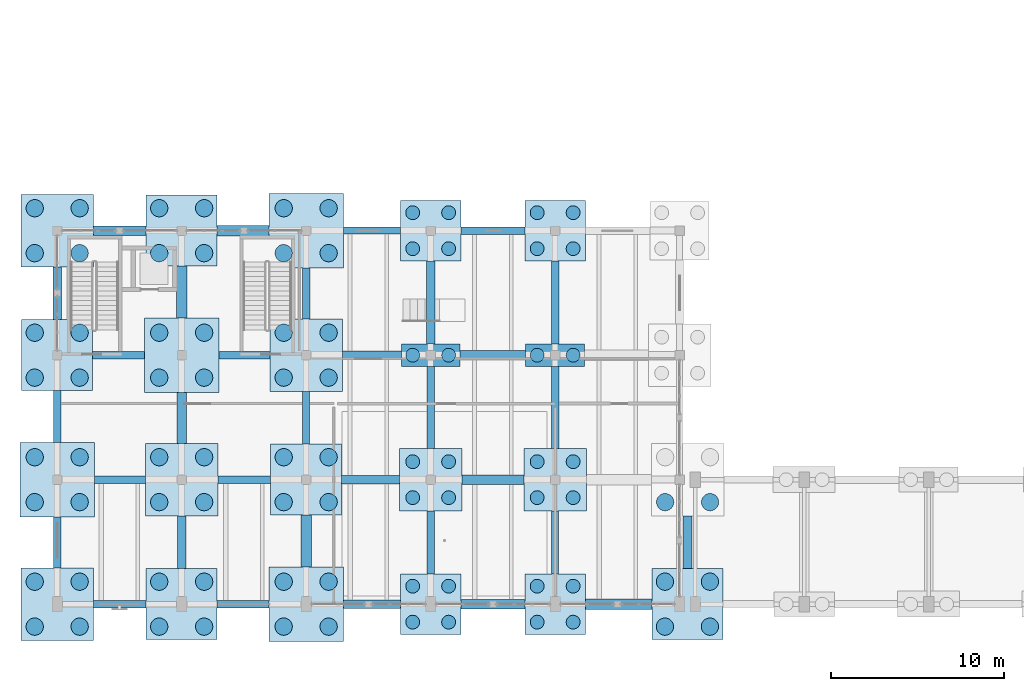
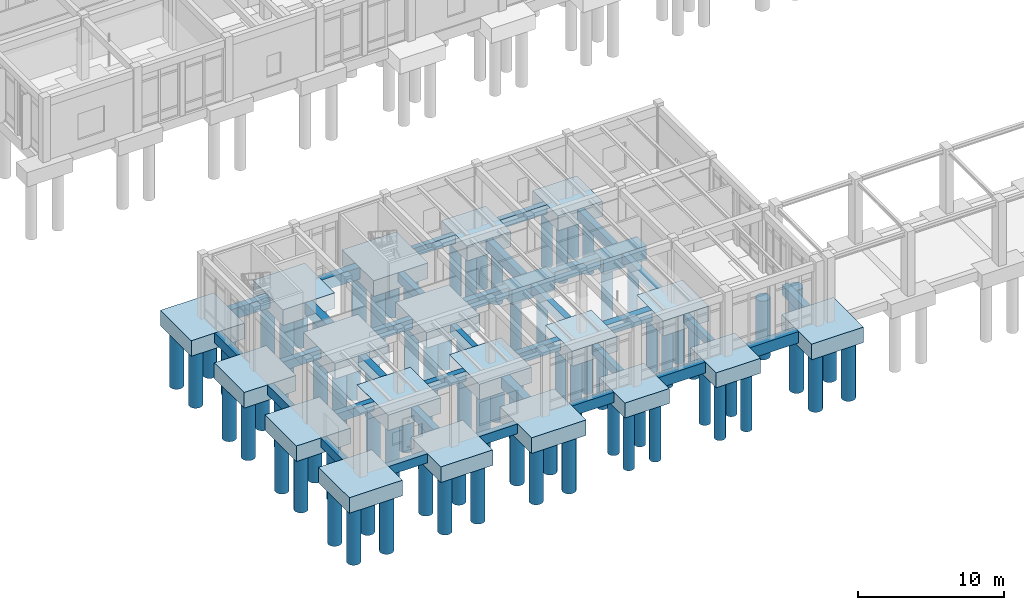
# One storey, part 1 of 93: 82 piles, 54 footings.
"""IFC4 building model written with IfcOpenShell, lengths in metres."""

from ifc_helpers import new_model, si_unit, direction, frame, origin, origin_2d, place, context, subcontext, project, spatial, rectangle, circle, extrude, material, material_profile, profile_set, type_object, element, save


model = new_model("IFC4")

# Units and contexts
model_context = context("Model", 3, precision=1e-05, world=origin(), true_north=direction((0.0, 1.0)))
body_context = subcontext(model_context, "Body", "Model", "MODEL_VIEW")
ifc_project = project(units=[si_unit("LENGTHUNIT", "METRE"), si_unit("AREAUNIT", "SQUARE_METRE"), si_unit("VOLUMEUNIT", "CUBIC_METRE"), si_unit("PLANEANGLEUNIT", "RADIAN"), si_unit("MASSUNIT", "GRAM", prefix="KILO")], contexts=[model_context])

# Site, building, storey
site_placement = place(None, origin())
site = spatial("IfcSite", under=ifc_project, at=site_placement, CompositionType="ELEMENT")
building_placement = place(site_placement, origin())
building = spatial("IfcBuilding", under=site, at=building_placement, Name="Koriwan Promenade Central Fire Station", CompositionType="ELEMENT")
storey_placement = place(building_placement, origin())
storey = spatial("IfcBuildingStorey", under=building, at=storey_placement, Name="L00", CompositionType="ELEMENT", Elevation=0.0)

# Piles
ifc_material = material(Name="Concrete C35/45", Category="concrete")
ifc_material_profile_1 = material_profile(ifc_material, circle(Radius=0.5, at=origin_2d()), Name="PILE-D1000")
ifc_profile_set_1 = profile_set([ifc_material_profile_1], Name="Concrete C35/45")
pile_type_1 = type_object("IfcPileType", Name="BoredPile_1000", PredefinedType="BORED", material=ifc_profile_set_1)
for number, where, z_axis, x_axis, name in (
    (1, (-1.300048828125, -1.300048828125, -1.14990234375), (0.0, 0.0, -1.0), (1.0, 0.0, 0.0), "Bored pile PCAP_001-11"),
    (2, (-1.300048828125, 1.300048828125, -1.14990234375), (0.0, 0.0, -1.0), (1.0, 0.0, 0.0), "Bored pile PCAP_001-12"),
    (3, (1.300048828125, -1.300048828125, -1.14990234375), (0.0, 0.0, -1.0), (1.0, 0.0, 0.0), "Bored pile PCAP_001-21"),
    (4, (1.300048828125, 1.300048828125, -1.14990234375), (0.0, 0.0, -1.0), (1.0, 0.0, 0.0), "Bored pile PCAP_001-22"),
    (5, (-1.300048828125, 5.89990234375, -1.14990234375), (0.0, 0.0, -1.0), (1.0, 0.0, 0.0), "Bored pile PCAP_002-11"),
    (6, (-1.300048828125, 8.5, -1.14990234375), (0.0, 0.0, -1.0), (1.0, 0.0, 0.0), "Bored pile PCAP_002-12"),
    (7, (1.300048828125, 5.89990234375, -1.14990234375), (0.0, 0.0, -1.0), (1.0, 0.0, 0.0), "Bored pile PCAP_002-21"),
    (8, (1.300048828125, 8.5, -1.14990234375), (0.0, 0.0, -1.0), (1.0, 0.0, 0.0), "Bored pile PCAP_002-22"),
    (9, (-1.300048828125, 13.10009765625, -1.14990234375), (0.0, 0.0, -1.0), (1.0, 0.0, 0.0), "Bored pile PCAP_003-11"),
    (10, (-1.300048828125, 15.699951171875, -1.14990234375), (0.0, 0.0, -1.0), (1.0, 0.0, 0.0), "Bored pile PCAP_003-12"),
    (11, (1.300048828125, 13.10009765625, -1.14990234375), (0.0, 0.0, -1.0), (1.0, 0.0, 0.0), "Bored pile PCAP_003-21"),
    (12, (1.300048828125, 15.699951171875, -1.14990234375), (0.0, 0.0, -1.0), (1.0, 0.0, 0.0), "Bored pile PCAP_003-22"),
    (13, (-1.300048828125, 20.300048828125, -1.14990234375), (0.0, 0.0, -1.0), (1.0, 0.0, 0.0), "Bored pile PCAP_004-11"),
    (14, (-1.300048828125, 22.89990234375, -1.14990234375), (0.0, 0.0, -1.0), (1.0, 0.0, 0.0), "Bored pile PCAP_004-12"),
    (15, (1.300048828125, 20.300048828125, -1.14990234375), (0.0, 0.0, -1.0), (1.0, 0.0, 0.0), "Bored pile PCAP_004-21"),
    (16, (1.300048828125, 22.89990234375, -1.14990234375), (0.0, 0.0, -1.0), (1.0, 0.0, 0.0), "Bored pile PCAP_004-22"),
    (17, (5.89990234375, -1.300048828125, -1.14990234375), (0.0, 0.0, -1.0), (1.0, 0.0, 0.0), "Bored pile PCAP_012-11"),
    (18, (5.89990234375, 1.300048828125, -1.14990234375), (0.0, 0.0, -1.0), (1.0, 0.0, 0.0), "Bored pile PCAP_012-12"),
    (19, (8.5, -1.300048828125, -1.14990234375), (0.0, 0.0, -1.0), (1.0, 0.0, 0.0), "Bored pile PCAP_012-21"),
    (20, (8.5, 1.300048828125, -1.14990234375), (0.0, 0.0, -1.0), (1.0, 0.0, 0.0), "Bored pile PCAP_012-22"),
    (21, (5.89990234375, 5.89990234375, -1.14990234375), (0.0, 0.0, -1.0), (1.0, 0.0, 0.0), "Bored pile PCAP_013-11"),
    (22, (5.89990234375, 8.5, -1.14990234375), (0.0, 0.0, -1.0), (1.0, 0.0, 0.0), "Bored pile PCAP_013-12"),
    (23, (8.5, 5.89990234375, -1.14990234375), (0.0, 0.0, -1.0), (1.0, 0.0, 0.0), "Bored pile PCAP_013-21"),
    (24, (8.5, 8.5, -1.14990234375), (0.0, 0.0, -1.0), (1.0, 0.0, 0.0), "Bored pile PCAP_013-22"),
    (25, (5.89990234375, 13.10009765625, -1.14990234375), (0.0, 0.0, -1.0), (1.0, 0.0, 0.0), "Bored pile PCAP_014-11"),
    (26, (5.89990234375, 15.699951171875, -1.14990234375), (0.0, 0.0, -1.0), (1.0, 0.0, 0.0), "Bored pile PCAP_014-12"),
    (27, (8.5, 13.10009765625, -1.14990234375), (0.0, 0.0, -1.0), (1.0, 0.0, 0.0), "Bored pile PCAP_014-21"),
    (28, (8.5, 15.699951171875, -1.14990234375), (0.0, 0.0, -1.0), (1.0, 0.0, 0.0), "Bored pile PCAP_014-22"),
    (29, (5.89990234375, 20.300048828125, -1.14990234375), (0.0, 0.0, -1.0), (1.0, 0.0, 0.0), "Bored pile PCAP_015-11"),
    (30, (5.89990234375, 22.89990234375, -1.14990234375), (0.0, 0.0, -1.0), (1.0, 0.0, 0.0), "Bored pile PCAP_015-12"),
    (31, (8.5, 20.300048828125, -1.14990234375), (0.0, 0.0, -1.0), (1.0, 0.0, 0.0), "Bored pile PCAP_015-21"),
    (32, (8.5, 22.89990234375, -1.14990234375), (0.0, 0.0, -1.0), (1.0, 0.0, 0.0), "Bored pile PCAP_015-22"),
    (33, (13.10009765625, -1.300048828125, -1.14990234375), (0.0, 0.0, -1.0), (1.0, 0.0, 0.0), "Bored pile PCAP_023-11"),
    (34, (13.10009765625, 1.300048828125, -1.14990234375), (0.0, 0.0, -1.0), (1.0, 0.0, 0.0), "Bored pile PCAP_023-12"),
    (35, (15.699951171875, -1.300048828125, -1.14990234375), (0.0, 0.0, -1.0), (1.0, 0.0, 0.0), "Bored pile PCAP_023-21"),
    (36, (15.699951171875, 1.300048828125, -1.14990234375), (0.0, 0.0, -1.0), (1.0, 0.0, 0.0), "Bored pile PCAP_023-22"),
    (37, (13.10009765625, 5.89990234375, -1.14990234375), (0.0, 0.0, -1.0), (1.0, 0.0, 0.0), "Bored pile PCAP_024-11"),
    (38, (13.10009765625, 8.5, -1.14990234375), (0.0, 0.0, -1.0), (1.0, 0.0, 0.0), "Bored pile PCAP_024-12"),
    (39, (15.699951171875, 5.89990234375, -1.14990234375), (0.0, 0.0, -1.0), (1.0, 0.0, 0.0), "Bored pile PCAP_024-21"),
    (40, (15.699951171875, 8.5, -1.14990234375), (0.0, 0.0, -1.0), (1.0, 0.0, 0.0), "Bored pile PCAP_024-22"),
    (41, (13.10009765625, 13.10009765625, -1.14990234375), (0.0, 0.0, -1.0), (1.0, 0.0, 0.0), "Bored pile PCAP_025-11"),
    (42, (13.10009765625, 15.699951171875, -1.14990234375), (0.0, 0.0, -1.0), (1.0, 0.0, 0.0), "Bored pile PCAP_025-12"),
    (43, (15.699951171875, 13.10009765625, -1.14990234375), (0.0, 0.0, -1.0), (1.0, 0.0, 0.0), "Bored pile PCAP_025-21"),
    (44, (15.699951171875, 15.699951171875, -1.14990234375), (0.0, 0.0, -1.0), (1.0, 0.0, 0.0), "Bored pile PCAP_025-22"),
    (45, (13.10009765625, 20.300048828125, -1.14990234375), (0.0, 0.0, -1.0), (1.0, 0.0, 0.0), "Bored pile PCAP_026-11"),
    (46, (13.10009765625, 22.89990234375, -1.14990234375), (0.0, 0.0, -1.0), (1.0, 0.0, 0.0), "Bored pile PCAP_026-12"),
    (47, (15.699951171875, 20.300048828125, -1.14990234375), (0.0, 0.0, -1.0), (1.0, 0.0, 0.0), "Bored pile PCAP_026-21"),
    (48, (15.699951171875, 22.89990234375, -1.14990234375), (0.0, 0.0, -1.0), (1.0, 0.0, 0.0), "Bored pile PCAP_026-22"),
    (49, (35.14990234375, -1.300048828125, -1.14990234375), (0.0, 0.0, -1.0), (1.0, 0.0, 0.0), "Bored pile PCAP_054-11"),
    (50, (35.14990234375, 1.300048828125, -1.14990234375), (0.0, 0.0, -1.0), (1.0, 0.0, 0.0), "Bored pile PCAP_054-12"),
    (51, (37.75, -1.300048828125, -1.14990234375), (0.0, 0.0, -1.0), (1.0, 0.0, 0.0), "Bored pile PCAP_054-21"),
    (52, (37.75, 1.300048828125, -1.14990234375), (0.0, 0.0, -1.0), (1.0, 0.0, 0.0), "Bored pile PCAP_054-22"),
    (53, (35.16259765625, 5.89990234375, -1.14990234375), (0.0, 0.0, -1.0), (1.0, 0.0, 0.0), "Bored pile PCAP_055-11"),
    (54, (37.762451171875, 5.89990234375, -1.14990234375), (0.0, 0.0, -1.0), (1.0, 0.0, 0.0), "Bored pile PCAP_055-21"),
):
    element("IfcPile", number, at=place(storey_placement, frame(where, z_axis=z_axis, x_axis=x_axis)), inside=storey, type_object=pile_type_1, Name=name, PredefinedType="BORED", context=body_context, shape_type="SweptSolid", body=[
        extrude(circle(Radius=0.5, at=origin_2d()), origin(), (0.0, 0.0, 1.0), 4.89990234375),
    ])
ifc_material_profile_2 = material_profile(ifc_material, circle(Radius=0.39990234375, at=origin_2d()), Name="PILE-D800")
ifc_profile_set_2 = profile_set([ifc_material_profile_2], Name="Concrete C35/45")
pile_type_2 = type_object("IfcPileType", Name="BoredPile_800", PredefinedType="BORED", material=ifc_profile_set_2)
for number, where, z_axis, x_axis, name in (
    (55, (20.56005859375, -1.0400390625, -1.10009765625), (0.0, 0.0, -1.0), (1.0, 0.0, 0.0), "Bored pile PCAP_034-11"),
    (56, (20.56005859375, 1.0400390625, -1.10009765625), (0.0, 0.0, -1.0), (1.0, 0.0, 0.0), "Bored pile PCAP_034-12"),
    (57, (22.639892578125, -1.0400390625, -1.10009765625), (0.0, 0.0, -1.0), (1.0, 0.0, 0.0), "Bored pile PCAP_034-21"),
    (58, (22.639892578125, 1.0400390625, -1.10009765625), (0.0, 0.0, -1.0), (1.0, 0.0, 0.0), "Bored pile PCAP_034-22"),
    (59, (20.56005859375, 6.159912109375, -1.10009765625), (0.0, 0.0, -1.0), (1.0, 0.0, 0.0), "Bored pile PCAP_035-11"),
    (60, (20.56005859375, 8.239990234375, -1.10009765625), (0.0, 0.0, -1.0), (1.0, 0.0, 0.0), "Bored pile PCAP_035-12"),
    (61, (22.639892578125, 6.159912109375, -1.10009765625), (0.0, 0.0, -1.0), (1.0, 0.0, 0.0), "Bored pile PCAP_035-21"),
    (62, (22.639892578125, 8.239990234375, -1.10009765625), (0.0, 0.0, -1.0), (1.0, 0.0, 0.0), "Bored pile PCAP_035-22"),
):
    element("IfcPile", number, at=place(storey_placement, frame(where, z_axis=z_axis, x_axis=x_axis)), inside=storey, type_object=pile_type_2, Name=name, PredefinedType="BORED", context=body_context, shape_type="SweptSolid", body=[
        extrude(circle(Radius=0.39990234375, at=origin_2d()), origin(), (0.0, 0.0, 1.0), 4.949951171875),
    ])
for number, where, z_axis, x_axis, name in (
    (63, (20.56005859375, 14.39990234375, -1.050048828125), (0.0, 0.0, -1.0), (1.0, 0.0, 0.0), "Bored pile PCAP_036-11"),
    (64, (22.639892578125, 14.39990234375, -1.050048828125), (0.0, 0.0, -1.0), (1.0, 0.0, 0.0), "Bored pile PCAP_036-21"),
):
    element("IfcPile", number, at=place(storey_placement, frame(where, z_axis=z_axis, x_axis=x_axis)), inside=storey, type_object=pile_type_2, Name=name, PredefinedType="BORED", context=body_context, shape_type="SweptSolid", body=[
        extrude(circle(Radius=0.39990234375, at=origin_2d()), origin(), (0.0, 0.0, 1.0), 5.0),
    ])
for number, where, z_axis, x_axis, name in (
    (65, (20.56005859375, 20.56005859375, -1.10009765625), (0.0, 0.0, -1.0), (1.0, 0.0, 0.0), "Bored pile PCAP_037-11"),
    (66, (20.56005859375, 22.639892578125, -1.10009765625), (0.0, 0.0, -1.0), (1.0, 0.0, 0.0), "Bored pile PCAP_037-12"),
    (67, (22.639892578125, 20.56005859375, -1.10009765625), (0.0, 0.0, -1.0), (1.0, 0.0, 0.0), "Bored pile PCAP_037-21"),
    (68, (22.639892578125, 22.639892578125, -1.10009765625), (0.0, 0.0, -1.0), (1.0, 0.0, 0.0), "Bored pile PCAP_037-22"),
    (69, (27.760009765625, -1.0400390625, -1.10009765625), (0.0, 0.0, -1.0), (1.0, 0.0, 0.0), "Bored pile PCAP_043-11"),
    (70, (27.760009765625, 1.0400390625, -1.10009765625), (0.0, 0.0, -1.0), (1.0, 0.0, 0.0), "Bored pile PCAP_043-12"),
    (71, (29.840087890625, -1.0400390625, -1.10009765625), (0.0, 0.0, -1.0), (1.0, 0.0, 0.0), "Bored pile PCAP_043-21"),
    (72, (29.840087890625, 1.0400390625, -1.10009765625), (0.0, 0.0, -1.0), (1.0, 0.0, 0.0), "Bored pile PCAP_043-22"),
    (73, (27.760009765625, 6.159912109375, -1.10009765625), (0.0, 0.0, -1.0), (1.0, 0.0, 0.0), "Bored pile PCAP_044-11"),
    (74, (27.760009765625, 8.239990234375, -1.10009765625), (0.0, 0.0, -1.0), (1.0, 0.0, 0.0), "Bored pile PCAP_044-12"),
    (75, (29.840087890625, 6.159912109375, -1.10009765625), (0.0, 0.0, -1.0), (1.0, 0.0, 0.0), "Bored pile PCAP_044-21"),
    (76, (29.840087890625, 8.239990234375, -1.10009765625), (0.0, 0.0, -1.0), (1.0, 0.0, 0.0), "Bored pile PCAP_044-22"),
):
    element("IfcPile", number, at=place(storey_placement, frame(where, z_axis=z_axis, x_axis=x_axis)), inside=storey, type_object=pile_type_2, Name=name, PredefinedType="BORED", context=body_context, shape_type="SweptSolid", body=[
        extrude(circle(Radius=0.39990234375, at=origin_2d()), origin(), (0.0, 0.0, 1.0), 4.949951171875),
    ])
for number, where, z_axis, x_axis, name in (
    (77, (27.760009765625, 14.39990234375, -1.050048828125), (0.0, 0.0, -1.0), (1.0, 0.0, 0.0), "Bored pile PCAP_045-11"),
    (78, (29.840087890625, 14.39990234375, -1.050048828125), (0.0, 0.0, -1.0), (1.0, 0.0, 0.0), "Bored pile PCAP_045-21"),
):
    element("IfcPile", number, at=place(storey_placement, frame(where, z_axis=z_axis, x_axis=x_axis)), inside=storey, type_object=pile_type_2, Name=name, PredefinedType="BORED", context=body_context, shape_type="SweptSolid", body=[
        extrude(circle(Radius=0.39990234375, at=origin_2d()), origin(), (0.0, 0.0, 1.0), 5.0),
    ])
for number, where, z_axis, x_axis, name in (
    (79, (27.760009765625, 20.56005859375, -1.10009765625), (0.0, 0.0, -1.0), (1.0, 0.0, 0.0), "Bored pile PCAP_046-11"),
    (80, (27.760009765625, 22.639892578125, -1.10009765625), (0.0, 0.0, -1.0), (1.0, 0.0, 0.0), "Bored pile PCAP_046-12"),
    (81, (29.840087890625, 20.56005859375, -1.10009765625), (0.0, 0.0, -1.0), (1.0, 0.0, 0.0), "Bored pile PCAP_046-21"),
    (82, (29.840087890625, 22.639892578125, -1.10009765625), (0.0, 0.0, -1.0), (1.0, 0.0, 0.0), "Bored pile PCAP_046-22"),
):
    element("IfcPile", number, at=place(storey_placement, frame(where, z_axis=z_axis, x_axis=x_axis)), inside=storey, type_object=pile_type_2, Name=name, PredefinedType="BORED", context=body_context, shape_type="SweptSolid", body=[
        extrude(circle(Radius=0.39990234375, at=origin_2d()), origin(), (0.0, 0.0, 1.0), 4.949951171875),
    ])

# Footings
footing_type_1 = type_object("IfcFootingType", Name="GroundTieBeam_400x700", PredefinedType="FOOTING_BEAM", material=ifc_material)
footing_1_placement = place(storey_placement, frame((18.199951171875, 21.60009765625, -0.7001953125), z_axis=(0.0, 0.0, 1.0), x_axis=(1.0, 0.0, 0.0)))
element("IfcFooting", 83, at=footing_1_placement, inside=storey, type_object=footing_type_1, Name="Seismic tie beam X-060", PredefinedType="FOOTING_BEAM", context=body_context, shape_type="SweptSolid", body=[
    extrude(rectangle(XDim=3.300048828125, YDim=0.39990234375, at=origin_2d()), origin(), (0.0, 0.0, 1.0), 0.699951171875),
])
footing_2_placement = place(storey_placement, frame((14.39990234375, 10.77490234375, -0.7001953125), z_axis=(0.0, 0.0, 1.0), x_axis=(0.0, 1.0, 0.0)))
element("IfcFooting", 84, at=footing_2_placement, inside=storey, type_object=footing_type_1, Name="Seismic tie beam Y-198", PredefinedType="FOOTING_BEAM", context=body_context, shape_type="SweptSolid", body=[
    extrude(rectangle(XDim=3.050048828125, YDim=0.39990234375, at=origin_2d()), origin(), (0.0, 0.0, 1.0), 0.699951171875),
])
footing_3_placement = place(storey_placement, frame((28.800048828125, 3.574951171875, -0.7001953125), z_axis=(0.0, 0.0, 1.0), x_axis=(0.0, 1.0, 0.0)))
element("IfcFooting", 85, at=footing_3_placement, inside=storey, type_object=footing_type_1, Name="Seismic tie beam Y-210", PredefinedType="FOOTING_BEAM", context=body_context, shape_type="SweptSolid", body=[
    extrude(rectangle(XDim=3.64990234375, YDim=0.39990234375, at=origin_2d()), origin(), (0.0, 0.0, 1.0), 0.699951171875),
])
footing_type_2 = type_object("IfcFootingType", Name="GroundTieBeam_450x750", PredefinedType="FOOTING_BEAM", material=ifc_material)
footing_4_placement = place(storey_placement, frame((3.625, 0.0, -0.75), z_axis=(0.0, 0.0, 1.0), x_axis=(1.0, 0.0, 0.0)))
element("IfcFooting", 86, at=footing_4_placement, inside=storey, type_object=footing_type_2, Name="Seismic tie beam X-001", PredefinedType="FOOTING_BEAM", context=body_context, shape_type="SweptSolid", body=[
    extrude(rectangle(XDim=3.050048828125, YDim=0.449951171875, at=origin_2d()), origin(), (0.0, 0.0, 1.0), 0.75),
])
footing_5_placement = place(storey_placement, frame((3.625, 7.199951171875, -0.75), z_axis=(0.0, 0.0, 1.0), x_axis=(1.0, 0.0, 0.0)))
element("IfcFooting", 87, at=footing_5_placement, inside=storey, type_object=footing_type_2, Name="Seismic tie beam X-025", PredefinedType="FOOTING_BEAM", context=body_context, shape_type="SweptSolid", body=[
    extrude(rectangle(XDim=2.949951171875, YDim=0.449951171875, at=origin_2d()), origin(), (0.0, 0.0, 1.0), 0.75),
])
footing_6_placement = place(storey_placement, frame((3.550048828125, 14.39990234375, -0.75), z_axis=(0.0, 0.0, 1.0), x_axis=(1.0, 0.0, 0.0)))
element("IfcFooting", 88, at=footing_6_placement, inside=storey, type_object=footing_type_2, Name="Seismic tie beam X-049", PredefinedType="FOOTING_BEAM", context=body_context, shape_type="SweptSolid", body=[
    extrude(rectangle(XDim=3.0, YDim=0.449951171875, at=origin_2d()), origin(), (0.0, 0.0, 1.0), 0.75),
])
footing_7_placement = place(storey_placement, frame((25.199951171875, 21.60009765625, -0.75), z_axis=(0.0, 0.0, 1.0), x_axis=(1.0, 0.0, 0.0)))
element("IfcFooting", 89, at=footing_7_placement, inside=storey, type_object=footing_type_2, Name="Seismic tie beam X-061", PredefinedType="FOOTING_BEAM", context=body_context, shape_type="SweptSolid", body=[
    extrude(rectangle(XDim=3.699951171875, YDim=0.449951171875, at=origin_2d()), origin(), (0.0, 0.0, 1.0), 0.75),
])
for number, where, z_axis, x_axis, name in (
    (90, (0.0, 3.574951171875, -0.75), (0.0, 0.0, 1.0), (0.0, 1.0, 0.0), "Seismic tie beam Y-181"),
    (91, (14.39990234375, 17.97509765625, -0.75), (0.0, 0.0, 1.0), (0.0, 1.0, 0.0), "Seismic tie beam Y-199"),
):
    element("IfcFooting", number, at=place(storey_placement, frame(where, z_axis=z_axis, x_axis=x_axis)), inside=storey, type_object=footing_type_2, Name=name, PredefinedType="FOOTING_BEAM", context=body_context, shape_type="SweptSolid", body=[
        extrude(rectangle(XDim=2.949951171875, YDim=0.449951171875, at=origin_2d()), origin(), (0.0, 0.0, 1.0), 0.75),
    ])
footing_8_placement = place(storey_placement, frame((21.60009765625, 3.574951171875, -0.75), z_axis=(0.0, 0.0, 1.0), x_axis=(0.0, 1.0, 0.0)))
element("IfcFooting", 92, at=footing_8_placement, inside=storey, type_object=footing_type_2, Name="Seismic tie beam Y-205", PredefinedType="FOOTING_BEAM", context=body_context, shape_type="SweptSolid", body=[
    extrude(rectangle(XDim=3.64990234375, YDim=0.449951171875, at=origin_2d()), origin(), (0.0, 0.0, 1.0), 0.75),
])
footing_9_placement = place(storey_placement, frame((28.800048828125, 11.375, -0.75), z_axis=(0.0, 0.0, 1.0), x_axis=(0.0, 1.0, 0.0)))
element("IfcFooting", 93, at=footing_9_placement, inside=storey, type_object=footing_type_2, Name="Seismic tie beam Y-211", PredefinedType="FOOTING_BEAM", context=body_context, shape_type="SweptSolid", body=[
    extrude(rectangle(XDim=4.75, YDim=0.449951171875, at=origin_2d()), origin(), (0.0, 0.0, 1.0), 0.75),
])
footing_type_3 = type_object("IfcFootingType", Name="GroundTieBeam_450x800", PredefinedType="FOOTING_BEAM", material=ifc_material)
footing_10_placement = place(storey_placement, frame((10.75, 0.0, -0.7998046875), z_axis=(0.0, 0.0, 1.0), x_axis=(1.0, 0.0, 0.0)))
element("IfcFooting", 94, at=footing_10_placement, inside=storey, type_object=footing_type_3, Name="Seismic tie beam X-002", PredefinedType="FOOTING_BEAM", context=body_context, shape_type="SweptSolid", body=[
    extrude(rectangle(XDim=3.0, YDim=0.449951171875, at=origin_2d()), origin(), (0.0, 0.0, 1.0), 0.800048828125),
])
footing_11_placement = place(storey_placement, frame((10.824951171875, 7.199951171875, -0.7998046875), z_axis=(0.0, 0.0, 1.0), x_axis=(1.0, 0.0, 0.0)))
element("IfcFooting", 95, at=footing_11_placement, inside=storey, type_object=footing_type_3, Name="Seismic tie beam X-026", PredefinedType="FOOTING_BEAM", context=body_context, shape_type="SweptSolid", body=[
    extrude(rectangle(XDim=3.050048828125, YDim=0.449951171875, at=origin_2d()), origin(), (0.0, 0.0, 1.0), 0.800048828125),
])
footing_12_placement = place(storey_placement, frame((10.824951171875, 14.39990234375, -0.7998046875), z_axis=(0.0, 0.0, 1.0), x_axis=(1.0, 0.0, 0.0)))
element("IfcFooting", 96, at=footing_12_placement, inside=storey, type_object=footing_type_3, Name="Seismic tie beam X-050", PredefinedType="FOOTING_BEAM", context=body_context, shape_type="SweptSolid", body=[
    extrude(rectangle(XDim=2.949951171875, YDim=0.449951171875, at=origin_2d()), origin(), (0.0, 0.0, 1.0), 0.800048828125),
])
footing_13_placement = place(storey_placement, frame((0.0, 10.85009765625, -0.7998046875), z_axis=(0.0, 0.0, 1.0), x_axis=(0.0, 1.0, 0.0)))
element("IfcFooting", 97, at=footing_13_placement, inside=storey, type_object=footing_type_3, Name="Seismic tie beam Y-182", PredefinedType="FOOTING_BEAM", context=body_context, shape_type="SweptSolid", body=[
    extrude(rectangle(XDim=3.0, YDim=0.449951171875, at=origin_2d()), origin(), (0.0, 0.0, 1.0), 0.800048828125),
])
footing_14_placement = place(storey_placement, frame((21.60009765625, 11.375, -0.7998046875), z_axis=(0.0, 0.0, 1.0), x_axis=(0.0, 1.0, 0.0)))
element("IfcFooting", 98, at=footing_14_placement, inside=storey, type_object=footing_type_3, Name="Seismic tie beam Y-206", PredefinedType="FOOTING_BEAM", context=body_context, shape_type="SweptSolid", body=[
    extrude(rectangle(XDim=4.75, YDim=0.449951171875, at=origin_2d()), origin(), (0.0, 0.0, 1.0), 0.800048828125),
])
footing_15_placement = place(storey_placement, frame((28.800048828125, 17.449951171875, -0.7998046875), z_axis=(0.0, 0.0, 1.0), x_axis=(0.0, 1.0, 0.0)))
element("IfcFooting", 99, at=footing_15_placement, inside=storey, type_object=footing_type_3, Name="Seismic tie beam Y-212", PredefinedType="FOOTING_BEAM", context=body_context, shape_type="SweptSolid", body=[
    extrude(rectangle(XDim=4.800048828125, YDim=0.449951171875, at=origin_2d()), origin(), (0.0, 0.0, 1.0), 0.800048828125),
])
footing_type_4 = type_object("IfcFootingType", Name="GroundTieBeam_500x850", PredefinedType="FOOTING_BEAM", material=ifc_material)
footing_16_placement = place(storey_placement, frame((18.199951171875, 0.0, -0.85009765625), z_axis=(0.0, 0.0, 1.0), x_axis=(1.0, 0.0, 0.0)))
element("IfcFooting", 100, at=footing_16_placement, inside=storey, type_object=footing_type_4, Name="Seismic tie beam X-003", PredefinedType="FOOTING_BEAM", context=body_context, shape_type="SweptSolid", body=[
    extrude(rectangle(XDim=3.300048828125, YDim=0.5, at=origin_2d()), origin(), (0.0, 0.0, 1.0), 0.85009765625),
])
footing_17_placement = place(storey_placement, frame((18.125, 7.199951171875, -0.85009765625), z_axis=(0.0, 0.0, 1.0), x_axis=(1.0, 0.0, 0.0)))
element("IfcFooting", 101, at=footing_17_placement, inside=storey, type_object=footing_type_4, Name="Seismic tie beam X-027", PredefinedType="FOOTING_BEAM", context=body_context, shape_type="SweptSolid", body=[
    extrude(rectangle(XDim=3.35009765625, YDim=0.5, at=origin_2d()), origin(), (0.0, 0.0, 1.0), 0.85009765625),
])
footing_18_placement = place(storey_placement, frame((18.199951171875, 14.39990234375, -0.85009765625), z_axis=(0.0, 0.0, 1.0), x_axis=(1.0, 0.0, 0.0)))
element("IfcFooting", 102, at=footing_18_placement, inside=storey, type_object=footing_type_4, Name="Seismic tie beam X-051", PredefinedType="FOOTING_BEAM", context=body_context, shape_type="SweptSolid", body=[
    extrude(rectangle(XDim=3.39990234375, YDim=0.5, at=origin_2d()), origin(), (0.0, 0.0, 1.0), 0.85009765625),
])
for number, where, z_axis, x_axis, name in (
    (103, (0.0, 17.97509765625, -0.85009765625), (0.0, 0.0, 1.0), (0.0, 1.0, 0.0), "Seismic tie beam Y-183"),
    (104, (7.199951171875, 3.574951171875, -0.85009765625), (0.0, 0.0, 1.0), (0.0, 1.0, 0.0), "Seismic tie beam Y-189"),
):
    element("IfcFooting", number, at=place(storey_placement, frame(where, z_axis=z_axis, x_axis=x_axis)), inside=storey, type_object=footing_type_4, Name=name, PredefinedType="FOOTING_BEAM", context=body_context, shape_type="SweptSolid", body=[
        extrude(rectangle(XDim=3.050048828125, YDim=0.5, at=origin_2d()), origin(), (0.0, 0.0, 1.0), 0.85009765625),
    ])
footing_19_placement = place(storey_placement, frame((21.60009765625, 17.449951171875, -0.85009765625), z_axis=(0.0, 0.0, 1.0), x_axis=(0.0, 1.0, 0.0)))
element("IfcFooting", 105, at=footing_19_placement, inside=storey, type_object=footing_type_4, Name="Seismic tie beam Y-207", PredefinedType="FOOTING_BEAM", context=body_context, shape_type="SweptSolid", body=[
    extrude(rectangle(XDim=4.800048828125, YDim=0.5, at=origin_2d()), origin(), (0.0, 0.0, 1.0), 0.85009765625),
])
footing_20_placement = place(storey_placement, frame((36.456298828125, 3.574951171875, -0.85009765625), z_axis=(0.0, 0.0, 1.0), x_axis=(0.0, 1.0, 0.0)))
element("IfcFooting", 106, at=footing_20_placement, inside=storey, type_object=footing_type_4, Name="Seismic tie beam Y-225", PredefinedType="FOOTING_BEAM", context=body_context, shape_type="SweptSolid", body=[
    extrude(rectangle(XDim=3.050048828125, YDim=0.5, at=origin_2d()), origin(), (0.0, 0.0, 1.0), 0.85009765625),
])
footing_type_5 = type_object("IfcFootingType", Name="GroundTieBeam_550x900", PredefinedType="FOOTING_BEAM", material=ifc_material)
footing_21_placement = place(storey_placement, frame((25.199951171875, 0.0, -0.89990234375), z_axis=(0.0, 0.0, 1.0), x_axis=(1.0, 0.0, 0.0)))
element("IfcFooting", 107, at=footing_21_placement, inside=storey, type_object=footing_type_5, Name="Seismic tie beam X-004", PredefinedType="FOOTING_BEAM", context=body_context, shape_type="SweptSolid", body=[
    extrude(rectangle(XDim=3.699951171875, YDim=0.550048828125, at=origin_2d()), origin(), (0.0, 0.0, 1.0), 0.89990234375),
])
footing_22_placement = place(storey_placement, frame((25.199951171875, 7.199951171875, -0.89990234375), z_axis=(0.0, 0.0, 1.0), x_axis=(1.0, 0.0, 0.0)))
element("IfcFooting", 108, at=footing_22_placement, inside=storey, type_object=footing_type_5, Name="Seismic tie beam X-028", PredefinedType="FOOTING_BEAM", context=body_context, shape_type="SweptSolid", body=[
    extrude(rectangle(XDim=3.60009765625, YDim=0.550048828125, at=origin_2d()), origin(), (0.0, 0.0, 1.0), 0.89990234375),
])
footing_23_placement = place(storey_placement, frame((25.199951171875, 14.39990234375, -0.89990234375), z_axis=(0.0, 0.0, 1.0), x_axis=(1.0, 0.0, 0.0)))
element("IfcFooting", 109, at=footing_23_placement, inside=storey, type_object=footing_type_5, Name="Seismic tie beam X-052", PredefinedType="FOOTING_BEAM", context=body_context, shape_type="SweptSolid", body=[
    extrude(rectangle(XDim=3.800048828125, YDim=0.550048828125, at=origin_2d()), origin(), (0.0, 0.0, 1.0), 0.89990234375),
])
footing_24_placement = place(storey_placement, frame((3.625, 21.60009765625, -0.89990234375), z_axis=(0.0, 0.0, 1.0), x_axis=(1.0, 0.0, 0.0)))
element("IfcFooting", 110, at=footing_24_placement, inside=storey, type_object=footing_type_5, Name="Seismic tie beam X-058", PredefinedType="FOOTING_BEAM", context=body_context, shape_type="SweptSolid", body=[
    extrude(rectangle(XDim=3.050048828125, YDim=0.550048828125, at=origin_2d()), origin(), (0.0, 0.0, 1.0), 0.89990234375),
])
footing_25_placement = place(storey_placement, frame((7.199951171875, 10.77490234375, -0.89990234375), z_axis=(0.0, 0.0, 1.0), x_axis=(0.0, 1.0, 0.0)))
element("IfcFooting", 111, at=footing_25_placement, inside=storey, type_object=footing_type_5, Name="Seismic tie beam Y-190", PredefinedType="FOOTING_BEAM", context=body_context, shape_type="SweptSolid", body=[
    extrude(rectangle(XDim=2.949951171875, YDim=0.550048828125, at=origin_2d()), origin(), (0.0, 0.0, 1.0), 0.89990234375),
])
footing_type_6 = type_object("IfcFootingType", Name="GroundTieBeam_600x950", PredefinedType="FOOTING_BEAM", material=ifc_material)
footing_26_placement = place(storey_placement, frame((32.47509765625, 0.0, -0.9501953125), z_axis=(0.0, 0.0, 1.0), x_axis=(1.0, 0.0, 0.0)))
element("IfcFooting", 112, at=footing_26_placement, inside=storey, type_object=footing_type_6, Name="Seismic tie beam X-005", PredefinedType="FOOTING_BEAM", context=body_context, shape_type="SweptSolid", body=[
    extrude(rectangle(XDim=3.85009765625, YDim=0.60009765625, at=origin_2d()), origin(), (0.0, 0.0, 1.0), 0.949951171875),
])
for number, where, z_axis, x_axis, name in (
    (113, (10.75, 21.60009765625, -0.9501953125), (0.0, 0.0, 1.0), (1.0, 0.0, 0.0), "Seismic tie beam X-059"),
    (114, (7.199951171875, 18.050048828125, -0.9501953125), (0.0, 0.0, 1.0), (0.0, 1.0, 0.0), "Seismic tie beam Y-191"),
    (115, (14.39990234375, 3.64990234375, -0.9501953125), (0.0, 0.0, 1.0), (0.0, 1.0, 0.0), "Seismic tie beam Y-197"),
):
    element("IfcFooting", number, at=place(storey_placement, frame(where, z_axis=z_axis, x_axis=x_axis)), inside=storey, type_object=footing_type_6, Name=name, PredefinedType="FOOTING_BEAM", context=body_context, shape_type="SweptSolid", body=[
        extrude(rectangle(XDim=3.0, YDim=0.60009765625, at=origin_2d()), origin(), (0.0, 0.0, 1.0), 0.949951171875),
    ])
footing_type_7 = type_object("IfcFootingType", Name="PileCap_3400x1300x1200", PredefinedType="PILE_CAP", material=ifc_material)
for number, where, z_axis, x_axis, name in (
    (116, (21.60009765625, 14.39990234375, -1.2001953125), (0.0, 0.0, 1.0), (1.0, 0.0, 0.0), "Pile cap PCAP_036 (3400x1300x1200)"),
    (117, (28.800048828125, 14.39990234375, -1.2001953125), (0.0, 0.0, 1.0), (1.0, 0.0, 0.0), "Pile cap PCAP_045 (3400x1300x1200)"),
):
    element("IfcFooting", number, at=place(storey_placement, frame(where, z_axis=z_axis, x_axis=x_axis)), inside=storey, type_object=footing_type_7, Name=name, PredefinedType="PILE_CAP", context=body_context, shape_type="SweptSolid", body=[
        extrude(rectangle(XDim=3.39990234375, YDim=1.300048828125, at=origin_2d()), origin(), (0.0, 0.0, 1.0), 1.199951171875),
    ])
footing_type_8 = type_object("IfcFootingType", Name="PileCap_3500x3500x1250", PredefinedType="PILE_CAP", material=ifc_material)
for number, where, z_axis, x_axis, name in (
    (118, (21.60009765625, 0.0, -1.25), (0.0, 0.0, 1.0), (1.0, 0.0, 0.0), "Pile cap PCAP_034 (3500x3500x1250)"),
    (119, (21.60009765625, 21.60009765625, -1.25), (0.0, 0.0, 1.0), (1.0, 0.0, 0.0), "Pile cap PCAP_037 (3500x3500x1250)"),
    (120, (28.800048828125, 0.0, -1.25), (0.0, 0.0, 1.0), (1.0, 0.0, 0.0), "Pile cap PCAP_043 (3500x3500x1250)"),
    (121, (28.800048828125, 21.60009765625, -1.25), (0.0, 0.0, 1.0), (1.0, 0.0, 0.0), "Pile cap PCAP_046 (3500x3500x1250)"),
):
    element("IfcFooting", number, at=place(storey_placement, frame(where, z_axis=z_axis, x_axis=x_axis)), inside=storey, type_object=footing_type_8, Name=name, PredefinedType="PILE_CAP", context=body_context, shape_type="SweptSolid", body=[
        extrude(rectangle(XDim=3.5, YDim=3.5, at=origin_2d()), origin(), (0.0, 0.0, 1.0), 1.25),
    ])
footing_type_9 = type_object("IfcFootingType", Name="PileCap_3600x3600x1250", PredefinedType="PILE_CAP", material=ifc_material)
for number, where, z_axis, x_axis, name in (
    (122, (21.60009765625, 7.199951171875, -1.25), (0.0, 0.0, 1.0), (1.0, 0.0, 0.0), "Pile cap PCAP_035 (3600x3600x1250)"),
    (123, (28.800048828125, 7.199951171875, -1.25), (0.0, 0.0, 1.0), (1.0, 0.0, 0.0), "Pile cap PCAP_044 (3600x3600x1250)"),
):
    element("IfcFooting", number, at=place(storey_placement, frame(where, z_axis=z_axis, x_axis=x_axis)), inside=storey, type_object=footing_type_9, Name=name, PredefinedType="PILE_CAP", context=body_context, shape_type="SweptSolid", body=[
        extrude(rectangle(XDim=3.60009765625, YDim=3.60009765625, at=origin_2d()), origin(), (0.0, 0.0, 1.0), 1.25),
    ])
footing_type_10 = type_object("IfcFootingType", Name="PileCap_4100x4100x1300", PredefinedType="PILE_CAP", material=ifc_material)
for number, where, z_axis, x_axis, name in (
    (124, (0.0, 14.39990234375, -1.2998046875), (0.0, 0.0, 1.0), (1.0, 0.0, 0.0), "Pile cap PCAP_003 (4100x4100x1300)"),
    (125, (7.199951171875, 0.0, -1.2998046875), (0.0, 0.0, 1.0), (1.0, 0.0, 0.0), "Pile cap PCAP_012 (4100x4100x1300)"),
    (126, (7.199951171875, 21.60009765625, -1.2998046875), (0.0, 0.0, 1.0), (1.0, 0.0, 0.0), "Pile cap PCAP_015 (4100x4100x1300)"),
    (127, (14.39990234375, 7.199951171875, -1.2998046875), (0.0, 0.0, 1.0), (1.0, 0.0, 0.0), "Pile cap PCAP_024 (4100x4100x1300)"),
    (128, (36.449951171875, 0.0, -1.2998046875), (0.0, 0.0, 1.0), (1.0, 0.0, 0.0), "Pile cap PCAP_054 (4100x4100x1300)"),
):
    element("IfcFooting", number, at=place(storey_placement, frame(where, z_axis=z_axis, x_axis=x_axis)), inside=storey, type_object=footing_type_10, Name=name, PredefinedType="PILE_CAP", context=body_context, shape_type="SweptSolid", body=[
        extrude(rectangle(XDim=4.10009765625, YDim=4.10009765625, at=origin_2d()), origin(), (0.0, 0.0, 1.0), 1.300048828125),
    ])
footing_type_11 = type_object("IfcFootingType", Name="PileCap_4200x4200x1300", PredefinedType="PILE_CAP", material=ifc_material)
for number, where, z_axis, x_axis, name in (
    (129, (0.0, 0.0, -1.2998046875), (0.0, 0.0, 1.0), (1.0, 0.0, 0.0), "Pile cap PCAP_001 (4200x4200x1300)"),
    (130, (0.0, 21.60009765625, -1.2998046875), (0.0, 0.0, 1.0), (1.0, 0.0, 0.0), "Pile cap PCAP_004 (4200x4200x1300)"),
    (131, (7.199951171875, 7.199951171875, -1.2998046875), (0.0, 0.0, 1.0), (1.0, 0.0, 0.0), "Pile cap PCAP_013 (4200x4200x1300)"),
    (132, (14.39990234375, 14.39990234375, -1.2998046875), (0.0, 0.0, 1.0), (1.0, 0.0, 0.0), "Pile cap PCAP_025 (4200x4200x1300)"),
):
    element("IfcFooting", number, at=place(storey_placement, frame(where, z_axis=z_axis, x_axis=x_axis)), inside=storey, type_object=footing_type_11, Name=name, PredefinedType="PILE_CAP", context=body_context, shape_type="SweptSolid", body=[
        extrude(rectangle(XDim=4.199951171875, YDim=4.199951171875, at=origin_2d()), origin(), (0.0, 0.0, 1.0), 1.300048828125),
    ])
footing_type_12 = type_object("IfcFootingType", Name="PileCap_4300x4300x1300", PredefinedType="PILE_CAP", material=ifc_material)
for number, where, z_axis, x_axis, name in (
    (133, (0.0, 7.199951171875, -1.2998046875), (0.0, 0.0, 1.0), (1.0, 0.0, 0.0), "Pile cap PCAP_002 (4300x4300x1300)"),
    (134, (7.199951171875, 14.39990234375, -1.2998046875), (0.0, 0.0, 1.0), (1.0, 0.0, 0.0), "Pile cap PCAP_014 (4300x4300x1300)"),
    (135, (14.39990234375, 0.0, -1.2998046875), (0.0, 0.0, 1.0), (1.0, 0.0, 0.0), "Pile cap PCAP_023 (4300x4300x1300)"),
    (136, (14.39990234375, 21.60009765625, -1.2998046875), (0.0, 0.0, 1.0), (1.0, 0.0, 0.0), "Pile cap PCAP_026 (4300x4300x1300)"),
):
    element("IfcFooting", number, at=place(storey_placement, frame(where, z_axis=z_axis, x_axis=x_axis)), inside=storey, type_object=footing_type_12, Name=name, PredefinedType="PILE_CAP", context=body_context, shape_type="SweptSolid", body=[
        extrude(rectangle(XDim=4.300048828125, YDim=4.300048828125, at=origin_2d()), origin(), (0.0, 0.0, 1.0), 1.300048828125),
    ])

save(model, "model.ifc")
